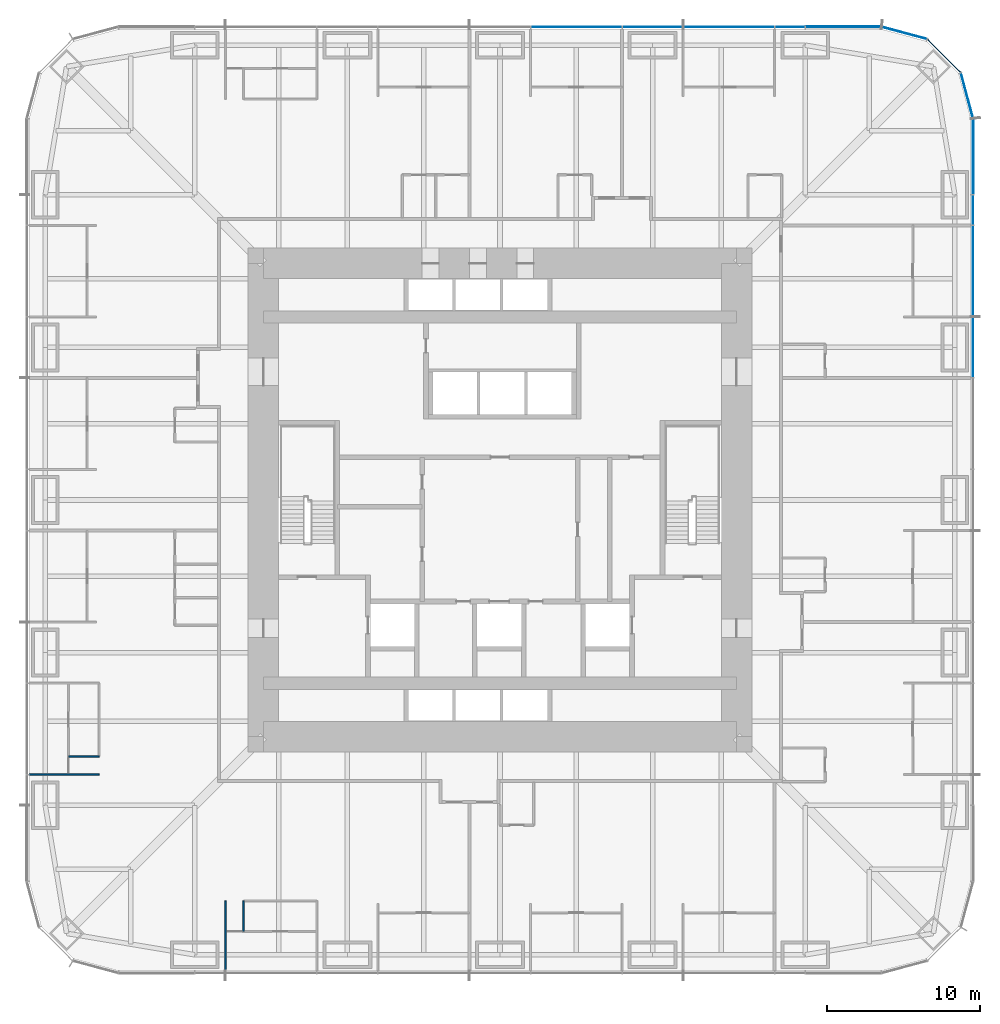
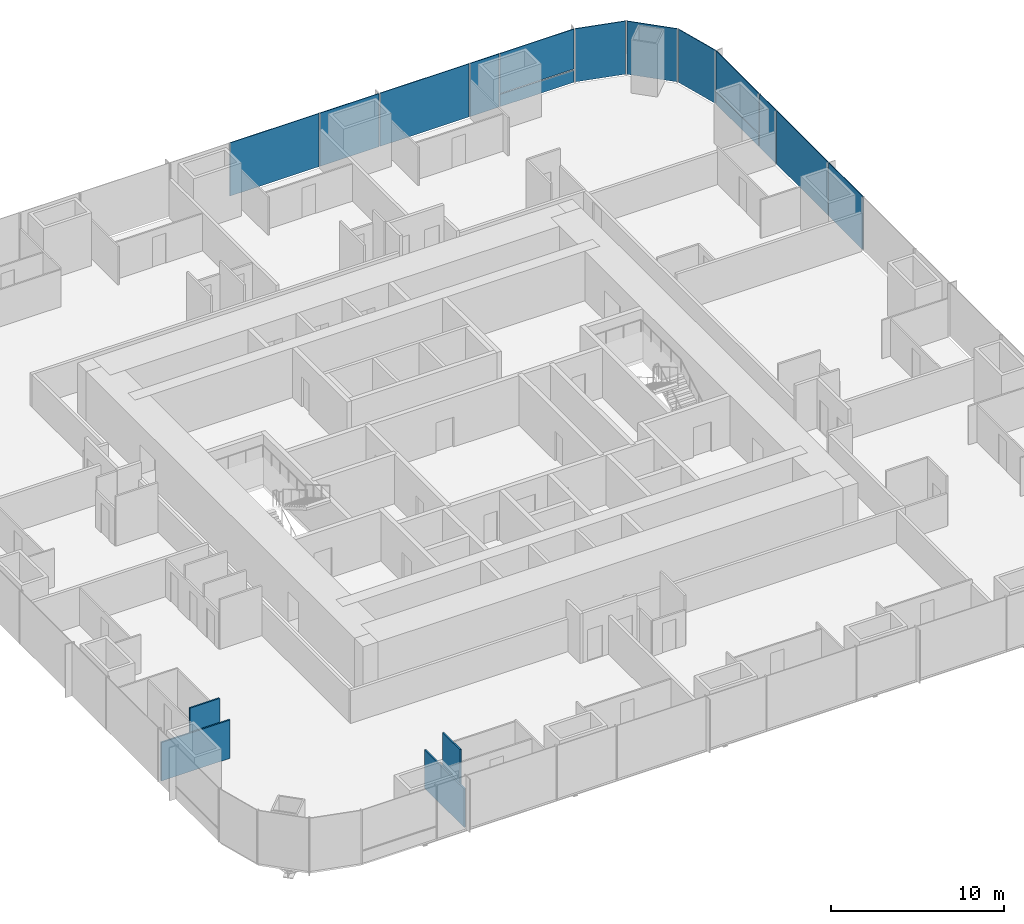
# One storey, part 11 of 17: 14 plates, 4 walls, 3 elements without a shape of their own.
"""IFC4 building model written with IfcOpenShell, lengths in metres."""

from ifc_helpers import new_model, si_unit, direction, frame, frame_2d, origin, origin_2d, place, context, subcontext, project, spatial, rectangle, extrude, material, layer, layer_set, type_object, element, aggregate, save


model = new_model("IFC4")

# Units and contexts
model_context = context("Model", 3, precision=1e-05, world=origin(), true_north=direction((0.0, 1.0)))
body_context = subcontext(model_context, "Body", "Model", "MODEL_VIEW")
ifc_project = project(units=[si_unit("LENGTHUNIT", "METRE"), si_unit("AREAUNIT", "SQUARE_METRE"), si_unit("VOLUMEUNIT", "CUBIC_METRE"), si_unit("PLANEANGLEUNIT", "RADIAN"), si_unit("MASSUNIT", "GRAM", prefix="KILO")], contexts=[model_context])

# Site, building, storey
site_placement = place(None, origin())
site = spatial("IfcSite", under=ifc_project, at=site_placement, CompositionType="ELEMENT")
building_placement = place(site_placement, origin())
building = spatial("IfcBuilding", under=site, at=building_placement, Name="Khuree Lantern Residences", CompositionType="ELEMENT")
storey_placement = place(building_placement, frame((0.0, 0.0, 88.5)))
storey = spatial("IfcBuildingStorey", under=building, at=storey_placement, Name="L22", CompositionType="ELEMENT", Elevation=88.5)

# Curtain wall, plates
ifc_material_1 = material(Name="Bronze anodised aluminium", Category="aluminium")
curtain_wall_type_1 = type_object("IfcCurtainWallType", Name="CW-T2 TOWER CORNER CURTAIN WALL", PredefinedType="USERDEFINED", material=ifc_material_1)
curtain_wall_1_placement = place(storey_placement, origin())
curtain_wall_1 = element("IfcCurtainWall", 1, at=curtain_wall_1_placement, inside=storey, type_object=curtain_wall_type_1, Name="L22 NORTH-EAST CORNER CURTAIN WALL", ObjectType="Faceted corner curtain wall", PredefinedType="USERDEFINED")
ifc_material_2 = material(Name="Bronze tinted triple glazing", Category="glass")
ifc_layer_1 = layer(ifc_material_2, 0.048095703125)
ifc_layer_set_1 = layer_set([ifc_layer_1], Name="FACET PANEL P4")
plate_type_1 = type_object("IfcPlateType", Name="FACET PANEL P4", PredefinedType="CURTAIN_PANEL", material=ifc_layer_set_1)
plate_1_placement = place(storey_placement, frame((30.5986328125, 26.498046875, 0.0), z_axis=(0.0, 0.0, 1.0), x_axis=(-0.258819172081, 0.965925792265, 0.0)))
plate_1 = element("IfcPlate", 2, at=plate_1_placement, type_object=plate_type_1, Name="L22 NORTH-EAST CORNER PANEL 15.1", PredefinedType="CURTAIN_PANEL", context=body_context, shape_type="SweptSolid", body=[
    extrude(rectangle(XDim=3.02978515625, YDim=0.048095703125, at=origin_2d()), origin(), (0.0, 0.0, 1.0), 3.75),
])
plate_2_placement = place(storey_placement, frame((29.09814453125, 29.09814453125, 0.0), z_axis=(0.0, 0.0, 1.0), x_axis=(-0.707106781187, 0.707106781187, 0.0)))
plate_2 = element("IfcPlate", 3, at=plate_2_placement, type_object=plate_type_1, Name="L22 NORTH-EAST CORNER PANEL 16.1", PredefinedType="CURTAIN_PANEL", context=body_context, shape_type="SweptSolid", body=[
    extrude(rectangle(XDim=3.025634765625, YDim=0.048095703125, at=origin_2d()), origin(), (0.0, 0.0, 1.0), 3.75),
])
plate_3_placement = place(storey_placement, frame((26.498046875, 30.5986328125, 0.0), z_axis=(0.0, 0.0, 1.0), x_axis=(-0.965925792265, 0.258819172081, 0.0)))
plate_3 = element("IfcPlate", 4, at=plate_3_placement, type_object=plate_type_1, Name="L22 NORTH-EAST CORNER PANEL 17.1", PredefinedType="CURTAIN_PANEL", context=body_context, shape_type="SweptSolid", body=[
    extrude(rectangle(XDim=3.02978515625, YDim=0.048095703125, at=origin_2d()), origin(), (0.0, 0.0, 1.0), 3.75),
])
aggregate(curtain_wall_1, [plate_1, plate_2, plate_3])

# Curtain wall, plate
curtain_wall_type_2 = type_object("IfcCurtainWallType", Name="CW-T1 TOWER FACE CURTAIN WALL", PredefinedType="USERDEFINED", material=ifc_material_1)
curtain_wall_2_placement = place(storey_placement, origin())
curtain_wall_2 = element("IfcCurtainWall", 5, at=curtain_wall_2_placement, inside=storey, type_object=curtain_wall_type_2, Name="L22 EAST FACE CURTAIN WALL", ObjectType="Stick-built curtain wall", PredefinedType="USERDEFINED")
ifc_material_3 = material(Name="Bronze tinted triple glazing with a ceramic-fritted spandrel band", Category="glass")
ifc_layer_2 = layer(ifc_material_3, 0.048095703125)
ifc_layer_set_2 = layer_set([ifc_layer_2], Name="FIXED LIGHT PANEL P11")
plate_type_2 = type_object("IfcPlateType", Name="FIXED LIGHT PANEL P11", PredefinedType="CURTAIN_PANEL", material=ifc_layer_set_2)
plate_4_placement = place(storey_placement, frame((31.0, 15.0, 0.0), z_axis=(0.0, 0.0, 1.0), x_axis=(0.0, 1.0, 0.0)))
plate_4 = element("IfcPlate", 6, at=plate_4_placement, type_object=plate_type_2, Name="L22 EAST FACE PANEL 12.1", PredefinedType="CURTAIN_PANEL", context=body_context, shape_type="SweptSolid", body=[
    extrude(rectangle(XDim=5.93505859375, YDim=0.048095703125, at=origin_2d()), origin(), (0.0, 0.0, 1.0), 3.75),
])

# Curtain wall, plates
curtain_wall_3_placement = place(storey_placement, origin())
curtain_wall_3 = element("IfcCurtainWall", 7, at=curtain_wall_3_placement, inside=storey, type_object=curtain_wall_type_2, Name="L22 NORTH FACE CURTAIN WALL", ObjectType="Stick-built curtain wall", PredefinedType="USERDEFINED")
plate_5_placement = place(storey_placement, frame((15.0, 31.0, 0.0), z_axis=(0.0, 0.0, 1.0), x_axis=(-1.0, 0.0, 0.0)))
plate_5 = element("IfcPlate", 8, at=plate_5_placement, type_object=plate_type_2, Name="L22 NORTH FACE PANEL 20.1", PredefinedType="CURTAIN_PANEL", context=body_context, shape_type="SweptSolid", body=[
    extrude(rectangle(XDim=5.93505859375, YDim=0.048095703125, at=origin_2d()), origin(), (0.0, 0.0, 1.0), 3.75),
])
plate_6_placement = place(storey_placement, frame((5.0, 31.0, 0.0), z_axis=(0.0, 0.0, 1.0), x_axis=(-1.0, 0.0, 0.0)))
plate_6 = element("IfcPlate", 9, at=plate_6_placement, type_object=plate_type_2, Name="L22 NORTH FACE PANEL 22.1", PredefinedType="CURTAIN_PANEL", context=body_context, shape_type="SweptSolid", body=[
    extrude(rectangle(XDim=5.93505859375, YDim=0.048095703125, at=origin_2d()), origin(), (0.0, 0.0, 1.0), 3.75),
])

# Plate
ifc_material_4 = material(Name="Bronze tinted triple glazing, two aluminium-framed sashes in one frame", Category="aluminium")
ifc_layer_3 = layer(ifc_material_4, 0.048095703125)
ifc_layer_set_3 = layer_set([ifc_layer_3], Name="SASH PAIR PANEL P12")
plate_type_3 = type_object("IfcPlateType", Name="SASH PAIR PANEL P12", PredefinedType="CURTAIN_PANEL", material=ifc_layer_set_3)
plate_7_placement = place(storey_placement, frame((31.0, 10.0, 0.0), z_axis=(0.0, 0.0, 1.0), x_axis=(0.0, 1.0, 0.0)))
plate_7 = element("IfcPlate", 10, at=plate_7_placement, type_object=plate_type_3, Name="L22 EAST FACE PANEL 11.1", PredefinedType="CURTAIN_PANEL", context=body_context, shape_type="SweptSolid", body=[
    extrude(rectangle(XDim=3.93505859375, YDim=0.048095703125, at=origin_2d()), origin(), (0.0, 0.0, 1.0), 3.75),
])

plate_8_placement = place(storey_placement, frame((10.0, 31.0, 0.0), z_axis=(0.0, 0.0, 1.0), x_axis=(-1.0, 0.0, 0.0)))
plate_8 = element("IfcPlate", 11, at=plate_8_placement, type_object=plate_type_3, Name="L22 NORTH FACE PANEL 21.1", PredefinedType="CURTAIN_PANEL", context=body_context, shape_type="SweptSolid", body=[
    extrude(rectangle(XDim=3.93505859375, YDim=0.048095703125, at=origin_2d()), origin(), (0.0, 0.0, 1.0), 3.75),
])

ifc_material_5 = material(Name="Bronze tinted triple glazing, aluminium-framed sash", Category="aluminium")
ifc_layer_4 = layer(ifc_material_5, 0.048095703125)
ifc_layer_set_4 = layer_set([ifc_layer_4], Name="SASH PANEL P3")
plate_type_4 = type_object("IfcPlateType", Name="SASH PANEL P3", PredefinedType="CURTAIN_PANEL", material=ifc_layer_set_4)
plate_9_placement = place(storey_placement, frame((31.0, 19.0, 0.0), z_axis=(0.0, 0.0, 1.0), x_axis=(0.0, 1.0, 0.0)))
plate_9 = element("IfcPlate", 12, at=plate_9_placement, type_object=plate_type_4, Name="L22 EAST FACE PANEL 13.1", PredefinedType="CURTAIN_PANEL", context=body_context, shape_type="SweptSolid", body=[
    extrude(rectangle(XDim=1.93505859375, YDim=0.048095703125, at=origin_2d()), origin(), (0.0, 0.0, 1.0), 3.75),
])

plate_10_placement = place(storey_placement, frame((19.0, 31.0, 0.0), z_axis=(0.0, 0.0, 1.0), x_axis=(-1.0, 0.0, 0.0)))
plate_10 = element("IfcPlate", 13, at=plate_10_placement, type_object=plate_type_4, Name="L22 NORTH FACE PANEL 19.1", PredefinedType="CURTAIN_PANEL", context=body_context, shape_type="SweptSolid", body=[
    extrude(rectangle(XDim=1.93505859375, YDim=0.048095703125, at=origin_2d()), origin(), (0.0, 0.0, 1.0), 3.75),
])

ifc_material_6 = material(Name="Bronze anodised aluminium insulated spandrel", Category="aluminium")
ifc_layer_5 = layer(ifc_material_6, 0.06005859375)
ifc_layer_set_5 = layer_set([ifc_layer_5], Name="SPANDREL PANEL P2")
plate_type_5 = type_object("IfcPlateType", Name="SPANDREL PANEL P2", PredefinedType="CURTAIN_PANEL", material=ifc_layer_set_5)
plate_11_placement = place(storey_placement, frame((31.0, 22.497802734375, 0.0), z_axis=(0.0, 0.0, 1.0), x_axis=(0.0, 1.0, 0.0)))
plate_11 = element("IfcPlate", 14, at=plate_11_placement, type_object=plate_type_5, Name="L22 EAST FACE PANEL 14.1", PredefinedType="CURTAIN_PANEL", context=body_context, shape_type="SweptSolid", body=[
    extrude(rectangle(XDim=4.9306640625, YDim=0.06005859375, at=origin_2d()), origin(), (0.0, 0.0, 1.0), 0.867431640625),
])

plate_12_placement = place(storey_placement, frame((22.497802734375, 31.0, 0.0), z_axis=(0.0, 0.0, 1.0), x_axis=(-1.0, 0.0, 0.0)))
plate_12 = element("IfcPlate", 15, at=plate_12_placement, type_object=plate_type_5, Name="L22 NORTH FACE PANEL 18.1", PredefinedType="CURTAIN_PANEL", context=body_context, shape_type="SweptSolid", body=[
    extrude(rectangle(XDim=4.9306640625, YDim=0.06005859375, at=origin_2d()), origin(), (0.0, 0.0, 1.0), 0.867431640625),
])

ifc_layer_6 = layer(ifc_material_2, 0.048095703125)
ifc_layer_set_6 = layer_set([ifc_layer_6], Name="VISION PANEL P1")
plate_type_6 = type_object("IfcPlateType", Name="VISION PANEL P1", PredefinedType="CURTAIN_PANEL", material=ifc_layer_set_6)
plate_13_placement = place(storey_placement, frame((31.0, 22.498291015625, 0.9326171875), z_axis=(0.0, 0.0, 1.0), x_axis=(0.0, 1.0, 0.0)))
plate_13 = element("IfcPlate", 16, at=plate_13_placement, type_object=plate_type_6, Name="L22 EAST FACE PANEL 14.2", PredefinedType="CURTAIN_PANEL", context=body_context, shape_type="SweptSolid", body=[
    extrude(rectangle(XDim=4.931640625, YDim=0.048095703125, at=origin_2d()), origin(), (0.0, 0.0, 1.0), 2.8173828125),
])

aggregate(curtain_wall_2, [plate_7, plate_4, plate_9, plate_11, plate_13])

plate_14_placement = place(storey_placement, frame((22.498291015625, 31.0, 0.9326171875), z_axis=(0.0, 0.0, 1.0), x_axis=(-1.0, 0.0, 0.0)))
plate_14 = element("IfcPlate", 17, at=plate_14_placement, type_object=plate_type_6, Name="L22 NORTH FACE PANEL 18.2", PredefinedType="CURTAIN_PANEL", context=body_context, shape_type="SweptSolid", body=[
    extrude(rectangle(XDim=4.931640625, YDim=0.048095703125, at=origin_2d()), origin(), (0.0, 0.0, 1.0), 2.8173828125),
])

aggregate(curtain_wall_3, [plate_12, plate_14, plate_10, plate_5, plate_8, plate_6])

# Walls
ifc_material_7 = material(Name="Gypsum board on steel studs", Category="steel")
ifc_layer_7 = layer(ifc_material_7, 0.10009765625)
ifc_layer_set_7 = layer_set([ifc_layer_7], Name="PARTITION PT100")
wall_type = type_object("IfcWallType", Name="PARTITION PT100", PredefinedType="PARTITIONING", material=ifc_layer_set_7)
for number, where, z_axis, x_axis, name in (
    (18, (-26.2666015625, -18.0, 0.0), (0.0, 0.0, 1.0), (-1.0, 0.0, 0.0), "L22 PARTITION 07"),
    (19, (-18.0, -26.2666015625, 0.0), (0.0, 0.0, 1.0), (0.0, -1.0, 0.0), "L22 PARTITION 07"),
):
    element("IfcWall", number, at=place(storey_placement, frame(where, z_axis=z_axis, x_axis=x_axis)), inside=storey, type_object=wall_type, Name=name, PredefinedType="PARTITIONING", context=body_context, shape_type="SweptSolid", body=[
        extrude(rectangle(XDim=4.58349609375, YDim=0.10009765625, at=frame_2d((2.291748046875, 0.0))), origin(), (0.0, 0.0, 1.0), 2.7099609375),
    ])
for number, where, z_axis, x_axis, name in (
    (20, (-26.2666015625, -16.800048828125, 0.0), (0.0, 0.0, 1.0), (-1.0, 0.0, 0.0), "L22 PARTITION 07"),
    (21, (-16.800048828125, -26.2666015625, 0.0), (0.0, 0.0, 1.0), (0.0, -1.0, 0.0), "L22 PARTITION 07"),
):
    element("IfcWall", number, at=place(storey_placement, frame(where, z_axis=z_axis, x_axis=x_axis)), inside=storey, type_object=wall_type, Name=name, PredefinedType="PARTITIONING", context=body_context, shape_type="SweptSolid", body=[
        extrude(rectangle(XDim=2.0, YDim=0.10009765625, at=frame_2d((1.0, 0.0))), origin(), (0.0, 0.0, 1.0), 3.5),
    ])

save(model, "model.ifc")
